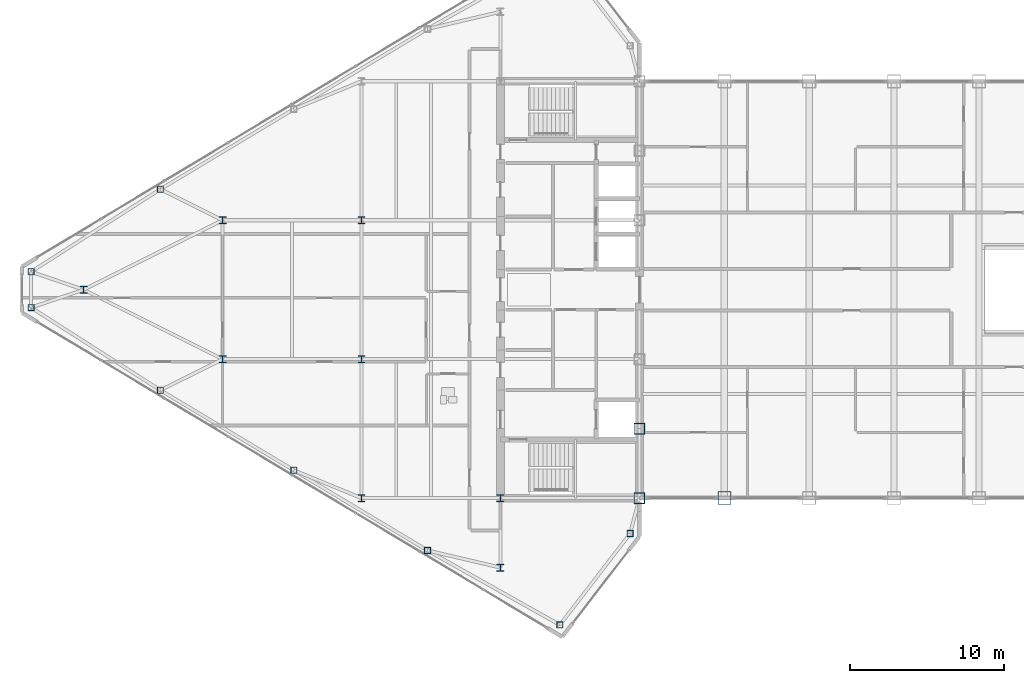
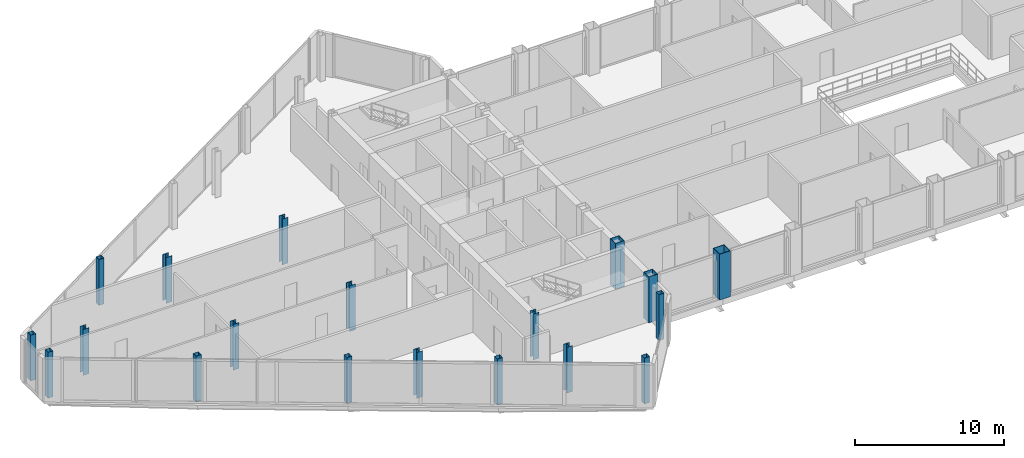
# One storey, part 1 of 29: 19 columns.
"""IFC4 building model written with IfcOpenShell, lengths in metres."""

from ifc_helpers import new_model, si_unit, direction, frame, origin, origin_2d, place, context, subcontext, project, spatial, hollow_rectangle, i_section, extrude, source, transform, mapped, material, material_profile, profile_set, type_object, type_shapes, element, save


model = new_model("IFC4")

# Units and contexts
model_context = context("Model", 3, precision=1e-05, world=origin(), true_north=direction((0.0, 1.0)))
body_context = subcontext(model_context, "Body", "Model", "MODEL_VIEW")
ifc_project = project(units=[si_unit("LENGTHUNIT", "METRE"), si_unit("AREAUNIT", "SQUARE_METRE"), si_unit("VOLUMEUNIT", "CUBIC_METRE"), si_unit("PLANEANGLEUNIT", "RADIAN"), si_unit("MASSUNIT", "GRAM", prefix="KILO")], contexts=[model_context])

# Site, building, storey
site_placement = place(None, origin())
site = spatial("IfcSite", under=ifc_project, at=site_placement, CompositionType="ELEMENT")
building_placement = place(site_placement, origin())
building = spatial("IfcBuilding", under=site, at=building_placement, Name="Seokmaru Belvedere", CompositionType="ELEMENT")
storey_placement = place(building_placement, frame((0.0, 0.0, 243.14990234375)))
storey = spatial("IfcBuildingStorey", under=building, at=storey_placement, Name="L64", CompositionType="ELEMENT", Elevation=243.14990234375)

# Columns
ifc_material_1 = material(Name="Steel SM355 (355 MPa)", Category="steel")
ifc_material_profile_1 = material_profile(ifc_material_1, hollow_rectangle(XDim=0.699951171875, YDim=0.699951171875, WallThickness=0.030029296875, at=origin_2d()), Name="BOX-700x700x30")
ifc_profile_set_1 = profile_set([ifc_material_profile_1], Name="Steel SM355 (355 MPa)")
column_type_1 = type_object("IfcColumnType", Name="Upper Spine Column BOX-700", PredefinedType="COLUMN", material=ifc_profile_set_1)
shared_shape_1 = source(origin(), body_context, "Body", "SweptSolid", [
    extrude(hollow_rectangle(XDim=0.699951171875, YDim=0.699951171875, WallThickness=0.030029296875, at=origin_2d()), origin(), (0.0, 0.0, 1.0), 3.75),
])
type_shapes(column_type_1, [shared_shape_1])
for number, where, z_axis, x_axis, name in (
    (1, (-27.5, -13.5, 0.0), (0.0, 0.0, 1.0), (1.0, 0.0, 0.0), "L64 Column WS1"),
    (2, (-27.5, -9.0, 0.0), (0.0, 0.0, 1.0), (1.0, 0.0, 0.0), "L64 Column WS2"),
):
    element("IfcColumn", number, at=place(storey_placement, frame(where, z_axis=z_axis, x_axis=x_axis)), inside=storey, type_object=column_type_1, Name=name, PredefinedType="COLUMN", context=body_context, shape_type="MappedRepresentation", body=[
        mapped(shared_shape_1, transform((0.0, 0.0, 0.0), scale=1.0)),
    ])
ifc_material_profile_2 = material_profile(ifc_material_1, i_section(OverallWidth=0.449951171875, OverallDepth=0.449951171875, WebThickness=0.01611328125, FlangeThickness=0.02490234375, at=origin_2d()), Name="H-450x450x16x25")
ifc_profile_set_2 = profile_set([ifc_material_profile_2], Name="Steel SM355 (355 MPa)")
column_type_2 = type_object("IfcColumnType", Name="Sky-Gate Column H-450", PredefinedType="COLUMN", material=ifc_profile_set_2)
shared_shape_2 = source(origin(), body_context, "Body", "SweptSolid", [
    extrude(i_section(OverallWidth=0.449951171875, OverallDepth=0.449951171875, WebThickness=0.01611328125, FlangeThickness=0.02490234375, at=origin_2d()), origin(), (0.0, 0.0, 1.0), 3.75),
])
type_shapes(column_type_2, [shared_shape_2])
for number, where, z_axis, x_axis, name in (
    (3, (-36.5, -18.0, 0.0), (0.0, 0.0, 1.0), (1.0, 0.0, 0.0), "L64 Column WC1"),
    (4, (-36.5, -13.5, 0.0), (0.0, 0.0, 1.0), (1.0, 0.0, 0.0), "L64 Column WC2"),
    (5, (-45.5, -13.5, 0.0), (0.0, 0.0, 1.0), (1.0, 0.0, 0.0), "L64 Column WG5_1"),
    (6, (-45.5, -4.5, 0.0), (0.0, 0.0, 1.0), (1.0, 0.0, 0.0), "L64 Column WG5_2"),
    (7, (-45.5, 4.5, 0.0), (0.0, 0.0, 1.0), (1.0, 0.0, 0.0), "L64 Column WG5_3"),
    (8, (-54.5, -4.5, 0.0), (0.0, 0.0, 1.0), (1.0, 0.0, 0.0), "L64 Column WG4P_1"),
    (9, (-54.5, 4.5, 0.0), (0.0, 0.0, 1.0), (1.0, 0.0, 0.0), "L64 Column WG4P_2"),
    (10, (-63.5, 0.0, 0.0), (0.0, 0.0, 1.0), (1.0, 0.0, 0.0), "L64 Column WG3P_1"),
):
    element("IfcColumn", number, at=place(storey_placement, frame(where, z_axis=z_axis, x_axis=x_axis)), inside=storey, type_object=column_type_2, Name=name, PredefinedType="COLUMN", context=body_context, shape_type="MappedRepresentation", body=[
        mapped(shared_shape_2, transform((0.0, 0.0, 0.0), scale=1.0)),
    ])
ifc_material_profile_3 = material_profile(ifc_material_1, hollow_rectangle(XDim=0.39990234375, YDim=0.39990234375, WallThickness=0.01611328125, at=origin_2d()), Name="HSS-400x400x16")
ifc_profile_set_3 = profile_set([ifc_material_profile_3], Name="Steel SM355 (355 MPa)")
column_type_3 = type_object("IfcColumnType", Name="Perimeter Facet Column HSS-400", PredefinedType="COLUMN", material=ifc_profile_set_3)
shared_shape_3 = source(origin(), body_context, "Body", "SweptSolid", [
    extrude(hollow_rectangle(XDim=0.39990234375, YDim=0.39990234375, WallThickness=0.01611328125, at=origin_2d()), origin(), (0.0, 0.0, 1.0), 3.75),
])
type_shapes(column_type_3, [shared_shape_3])
for number, where, z_axis, x_axis, name in (
    (11, (-28.10009765625, -15.7958984375, 0.0), (0.0, 0.0, 1.0), (1.0, 0.0, 0.0), "L64 Column WF1"),
    (12, (-66.89990234375, 1.160400390625, 0.0), (0.0, 0.0, 1.0), (1.0, 0.0, 0.0), "L64 Column WF4"),
    (13, (-66.89990234375, -1.160400390625, 0.0), (0.0, 0.0, 1.0), (1.0, 0.0, 0.0), "L64 Column WF5"),
    (14, (-32.649658203125, -21.71044921875, 0.0), (0.0, 0.0, 1.0), (1.0, 0.0, 0.0), "L64 Column WF6"),
    (15, (-41.229736328125, -16.888916015625, 0.0), (0.0, 0.0, 1.0), (1.0, 0.0, 0.0), "L64 Column WFLK_S1"),
    (16, (-49.8798828125, -11.698974609375, 0.0), (0.0, 0.0, 1.0), (1.0, 0.0, 0.0), "L64 Column WFLK_S2"),
    (17, (-58.530029296875, -6.5087890625, 0.0), (0.0, 0.0, 1.0), (1.0, 0.0, 0.0), "L64 Column WFLK_S3"),
    (18, (-58.530029296875, 6.5087890625, 0.0), (0.0, 0.0, 1.0), (1.0, 0.0, 0.0), "L64 Column WFLK_N3"),
):
    element("IfcColumn", number, at=place(storey_placement, frame(where, z_axis=z_axis, x_axis=x_axis)), inside=storey, type_object=column_type_3, Name=name, PredefinedType="COLUMN", context=body_context, shape_type="MappedRepresentation", body=[
        mapped(shared_shape_3, transform((0.0, 0.0, 0.0), scale=1.0)),
    ])
ifc_material_2 = material(Name="Steel HSA650 (650 MPa)", Category="steel")
ifc_material_profile_4 = material_profile(ifc_material_2, hollow_rectangle(XDim=0.85009765625, YDim=0.85009765625, WallThickness=0.035888671875, at=origin_2d()), Name="BOX-850x850x36")
ifc_profile_set_4 = profile_set([ifc_material_profile_4], Name="Steel HSA650 (650 MPa)")
column_type_4 = type_object("IfcColumnType", Name="Portal Spine Column BOX-850", PredefinedType="COLUMN", material=ifc_profile_set_4)
shared_shape_4 = source(origin(), body_context, "Body", "SweptSolid", [
    extrude(hollow_rectangle(XDim=0.85009765625, YDim=0.85009765625, WallThickness=0.035888671875, at=origin_2d()), origin(), (0.0, 0.0, 1.0), 3.75),
])
type_shapes(column_type_4, [shared_shape_4])
column_placement = place(storey_placement, frame((-22.0, -13.5, 0.0), z_axis=(0.0, 0.0, 1.0), x_axis=(1.0, 0.0, 0.0)))
element("IfcColumn", 19, at=column_placement, inside=storey, type_object=column_type_4, Name="L64 Column BRS_1", PredefinedType="COLUMN", context=body_context, shape_type="MappedRepresentation", body=[
    mapped(shared_shape_4, transform((0.0, 0.0, 0.0), scale=1.0)),
])

save(model, "model.ifc")
